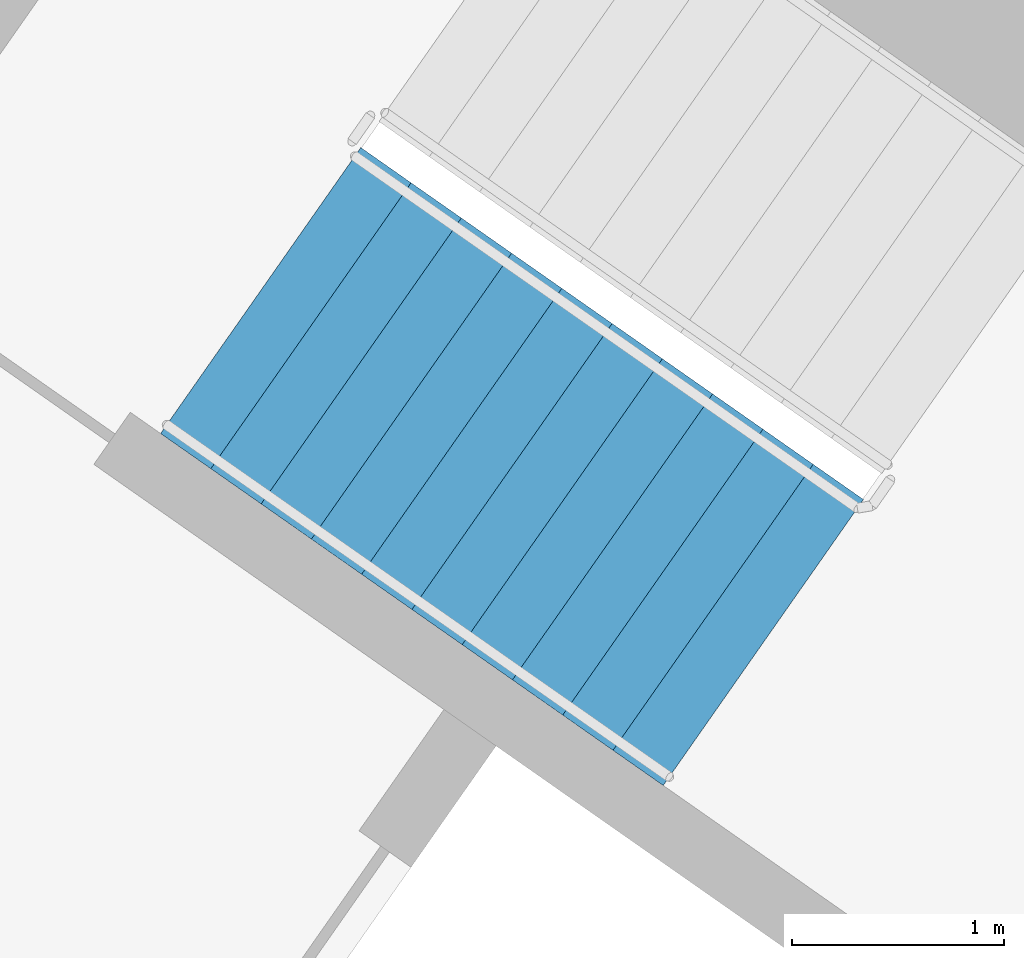
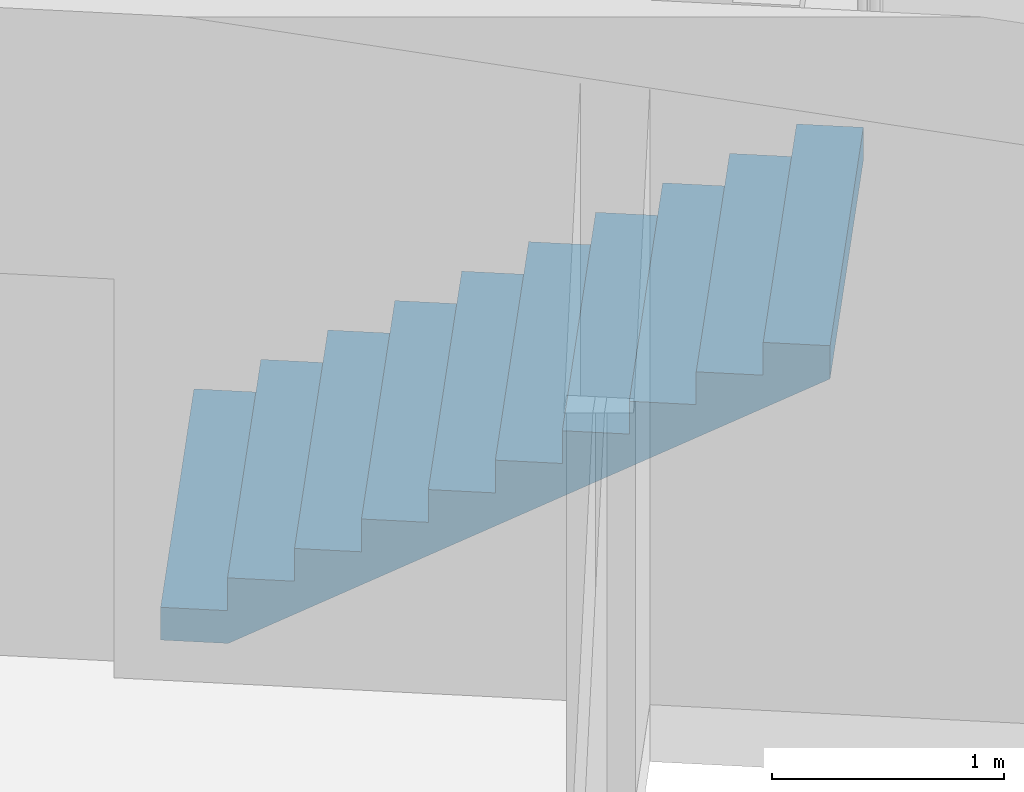
# One storey, part 12 of 35: 1 stair flight, 1 element without a shape of its own.
"""IFC4 building model written with IfcOpenShell, lengths in metres."""

from ifc_helpers import new_model, si_unit, direction, frame, origin, place, context, subcontext, project, spatial, faceted_brep, material, type_object, element, aggregate, save


model = new_model("IFC4")

# Units and contexts
model_context = context("Model", 3, precision=1e-05, world=origin(), true_north=direction((0.0, 1.0)))
body_context = subcontext(model_context, "Body", "Model", "MODEL_VIEW")
ifc_project = project(units=[si_unit("LENGTHUNIT", "METRE"), si_unit("AREAUNIT", "SQUARE_METRE"), si_unit("VOLUMEUNIT", "CUBIC_METRE"), si_unit("PLANEANGLEUNIT", "RADIAN"), si_unit("MASSUNIT", "GRAM", prefix="KILO")], contexts=[model_context])

# Site, building, storey
site_placement = place(None, origin())
site = spatial("IfcSite", under=ifc_project, at=site_placement, CompositionType="ELEMENT")
building_placement = place(site_placement, origin())
building = spatial("IfcBuilding", under=site, at=building_placement, Name="Qamariyya Broadcast Tower", CompositionType="ELEMENT")
storey_placement = place(building_placement, frame((0.0, 0.0, 40.5)))
storey = spatial("IfcBuildingStorey", under=building, at=storey_placement, Name="L06", CompositionType="ELEMENT", Elevation=40.5)

# Stair, stair flight
ifc_material = material(Name="Concrete C50/60", Category="concrete")
stair_type = type_object("IfcStairType", Name="Exit stair 22 risers of 173 mm", PredefinedType="HALF_TURN_STAIR", material=ifc_material)
stair_placement = place(storey_placement, origin())
stair = element("IfcStair", 1, at=stair_placement, inside=storey, type_object=stair_type, Name="L06 Stair W2", PredefinedType="HALF_TURN_STAIR")
stair_flight_type = type_object("IfcStairFlightType", Name="Exit stair flight 11 risers of 173 mm", PredefinedType="STRAIGHT", material=ifc_material)
stair_flight_placement = place(storey_placement, frame((-41.59130859375, -49.15966796875, 0.0), z_axis=(0.0, 0.0, 1.0), x_axis=(0.819152044289, -0.573576436351, 0.0)))
stair_flight = element("IfcStairFlight", 2, at=stair_flight_placement, type_object=stair_flight_type, Name="ST-W2 flight 1", NumberOfRisers=11, NumberOfTreads=10, PredefinedType="STRAIGHT", RiserHeight=0.172727273, TreadLength=0.29, context=body_context, shape_type="Brep", body=[
    faceted_brep([(0.0, 0.824951171875, 0.0), (0.0, 0.824951171875, 0.172607421875), (0.2900390625, 0.824951171875, 0.172607421875), (0.2900390625, 0.824951171875, 0.345458984375), (0.580078125, 0.824951171875, 0.345458984375), (0.580078125, 0.824951171875, 0.51806640625), (0.8701171875, 0.824951171875, 0.51806640625), (0.8701171875, 0.824951171875, 0.69091796875), (1.159912109375, 0.824951171875, 0.69091796875), (1.159912109375, 0.824951171875, 0.863525390625), (1.449951171875, 0.824951171875, 0.863525390625), (1.449951171875, 0.824951171875, 1.036376953125), (1.739990234375, 0.824951171875, 1.036376953125), (1.739990234375, 0.824951171875, 1.208984375), (2.030029296875, 0.824951171875, 1.208984375), (2.030029296875, 0.824951171875, 1.3818359375), (2.320068359375, 0.824951171875, 1.3818359375), (2.320068359375, 0.824951171875, 1.554443359375), (2.610107421875, 0.824951171875, 1.554443359375), (2.610107421875, 0.824951171875, 1.727294921875), (2.89990234375, 0.824951171875, 1.727294921875), (2.89990234375, 0.824951171875, 1.552734375), (0.29296875, 0.824951171875, 0.0), (0.29296875, -0.824951171875, 0.0), (2.89990234375, -0.824951171875, 1.552734375), (2.89990234375, -0.824951171875, 1.727294921875), (2.610107421875, -0.824951171875, 1.727294921875), (2.610107421875, -0.824951171875, 1.554443359375), (2.320068359375, -0.824951171875, 1.554443359375), (2.320068359375, -0.824951171875, 1.3818359375), (2.030029296875, -0.824951171875, 1.3818359375), (2.030029296875, -0.824951171875, 1.208984375), (1.739990234375, -0.824951171875, 1.208984375), (1.739990234375, -0.824951171875, 1.036376953125), (1.449951171875, -0.824951171875, 1.036376953125), (1.449951171875, -0.824951171875, 0.863525390625), (1.159912109375, -0.824951171875, 0.863525390625), (1.159912109375, -0.824951171875, 0.69091796875), (0.8701171875, -0.824951171875, 0.69091796875), (0.8701171875, -0.824951171875, 0.51806640625), (0.580078125, -0.824951171875, 0.51806640625), (0.580078125, -0.824951171875, 0.345458984375), (0.2900390625, -0.824951171875, 0.345458984375), (0.2900390625, -0.824951171875, 0.172607421875), (0.0, -0.824951171875, 0.172607421875), (0.0, -0.824951171875, 0.0), (0.0, 0.10009765625, 0.0), (0.0, 0.086669921875, 0.0), (0.0, 0.0732421875, 0.0), (0.0, 0.06005859375, 0.0), (0.0, 0.046630859375, 0.0), (0.0, 0.033447265625, 0.0), (0.0, 0.02001953125, 0.0), (0.0, 0.006591796875, 0.0), (0.0, -0.006591796875, 0.0), (0.0, -0.02001953125, 0.0), (0.0, -0.033447265625, 0.0), (0.0, -0.046630859375, 0.0), (0.0, -0.06005859375, 0.0), (0.0, -0.0732421875, 0.0), (0.0, -0.086669921875, 0.0), (0.0, -0.10009765625, 0.0), (0.0, -0.10009765625, 0.172607421875), (0.0, -0.086669921875, 0.172607421875), (0.0, -0.0732421875, 0.172607421875), (0.0, -0.06005859375, 0.172607421875), (0.0, -0.046630859375, 0.172607421875), (0.0, -0.033447265625, 0.172607421875), (0.0, -0.02001953125, 0.172607421875), (0.0, -0.006591796875, 0.172607421875), (0.0, 0.006591796875, 0.172607421875), (0.0, 0.02001953125, 0.172607421875), (0.0, 0.033447265625, 0.172607421875), (0.0, 0.046630859375, 0.172607421875), (0.0, 0.06005859375, 0.172607421875), (0.0, 0.0732421875, 0.172607421875), (0.0, 0.086669921875, 0.172607421875), (0.0, 0.10009765625, 0.172607421875), (0.2900390625, -0.10009765625, 0.172607421875), (0.2900390625, -0.086669921875, 0.172607421875), (0.2900390625, -0.0732421875, 0.172607421875), (0.2900390625, -0.06005859375, 0.172607421875), (0.2900390625, -0.046630859375, 0.172607421875), (0.2900390625, -0.033447265625, 0.172607421875), (0.2900390625, -0.02001953125, 0.172607421875), (0.2900390625, -0.006591796875, 0.172607421875), (0.2900390625, 0.006591796875, 0.172607421875), (0.2900390625, 0.02001953125, 0.172607421875), (0.2900390625, 0.033447265625, 0.172607421875), (0.2900390625, 0.046630859375, 0.172607421875), (0.2900390625, 0.06005859375, 0.172607421875), (0.2900390625, 0.0732421875, 0.172607421875), (0.2900390625, 0.086669921875, 0.172607421875), (0.2900390625, 0.10009765625, 0.172607421875), (0.2900390625, -0.10009765625, 0.345458984375), (0.2900390625, -0.086669921875, 0.345458984375), (0.2900390625, -0.0732421875, 0.345458984375), (0.2900390625, -0.06005859375, 0.345458984375), (0.2900390625, -0.046630859375, 0.345458984375), (0.2900390625, -0.033447265625, 0.345458984375), (0.2900390625, -0.02001953125, 0.345458984375), (0.2900390625, -0.006591796875, 0.345458984375), (0.2900390625, 0.006591796875, 0.345458984375), (0.2900390625, 0.02001953125, 0.345458984375), (0.2900390625, 0.033447265625, 0.345458984375), (0.2900390625, 0.046630859375, 0.345458984375), (0.2900390625, 0.06005859375, 0.345458984375), (0.2900390625, 0.0732421875, 0.345458984375), (0.2900390625, 0.086669921875, 0.345458984375), (0.2900390625, 0.10009765625, 0.345458984375), (0.580078125, -0.10009765625, 0.345458984375), (0.580078125, -0.086669921875, 0.345458984375), (0.580078125, -0.0732421875, 0.345458984375), (0.580078125, -0.06005859375, 0.345458984375), (0.580078125, -0.046630859375, 0.345458984375), (0.580078125, -0.033447265625, 0.345458984375), (0.580078125, -0.02001953125, 0.345458984375), (0.580078125, -0.006591796875, 0.345458984375), (0.580078125, 0.006591796875, 0.345458984375), (0.580078125, 0.02001953125, 0.345458984375), (0.580078125, 0.033447265625, 0.345458984375), (0.580078125, 0.046630859375, 0.345458984375), (0.580078125, 0.06005859375, 0.345458984375), (0.580078125, 0.0732421875, 0.345458984375), (0.580078125, 0.086669921875, 0.345458984375), (0.580078125, 0.10009765625, 0.345458984375), (0.580078125, -0.10009765625, 0.51806640625), (0.580078125, -0.086669921875, 0.51806640625), (0.580078125, -0.0732421875, 0.51806640625), (0.580078125, -0.06005859375, 0.51806640625), (0.580078125, -0.046630859375, 0.51806640625), (0.580078125, -0.033447265625, 0.51806640625), (0.580078125, -0.02001953125, 0.51806640625), (0.580078125, -0.006591796875, 0.51806640625), (0.580078125, 0.006591796875, 0.51806640625), (0.580078125, 0.02001953125, 0.51806640625), (0.580078125, 0.033447265625, 0.51806640625), (0.580078125, 0.046630859375, 0.51806640625), (0.580078125, 0.06005859375, 0.51806640625), (0.580078125, 0.0732421875, 0.51806640625), (0.580078125, 0.086669921875, 0.51806640625), (0.580078125, 0.10009765625, 0.51806640625), (0.8701171875, -0.10009765625, 0.51806640625), (0.8701171875, -0.086669921875, 0.51806640625), (0.8701171875, -0.0732421875, 0.51806640625), (0.8701171875, -0.06005859375, 0.51806640625), (0.8701171875, -0.046630859375, 0.51806640625), (0.8701171875, -0.033447265625, 0.51806640625), (0.8701171875, -0.02001953125, 0.51806640625), (0.8701171875, -0.006591796875, 0.51806640625), (0.8701171875, 0.006591796875, 0.51806640625), (0.8701171875, 0.02001953125, 0.51806640625), (0.8701171875, 0.033447265625, 0.51806640625), (0.8701171875, 0.046630859375, 0.51806640625), (0.8701171875, 0.06005859375, 0.51806640625), (0.8701171875, 0.0732421875, 0.51806640625), (0.8701171875, 0.086669921875, 0.51806640625), (0.8701171875, 0.10009765625, 0.51806640625), (0.8701171875, -0.10009765625, 0.69091796875), (0.8701171875, -0.086669921875, 0.69091796875), (0.8701171875, -0.0732421875, 0.69091796875), (0.8701171875, -0.06005859375, 0.69091796875), (0.8701171875, -0.046630859375, 0.69091796875), (0.8701171875, -0.033447265625, 0.69091796875), (0.8701171875, -0.02001953125, 0.69091796875), (0.8701171875, -0.006591796875, 0.69091796875), (0.8701171875, 0.006591796875, 0.69091796875), (0.8701171875, 0.02001953125, 0.69091796875), (0.8701171875, 0.033447265625, 0.69091796875), (0.8701171875, 0.046630859375, 0.69091796875), (0.8701171875, 0.06005859375, 0.69091796875), (0.8701171875, 0.0732421875, 0.69091796875), (0.8701171875, 0.086669921875, 0.69091796875), (0.8701171875, 0.10009765625, 0.69091796875), (1.159912109375, -0.10009765625, 0.69091796875), (1.159912109375, -0.086669921875, 0.69091796875), (1.159912109375, -0.0732421875, 0.69091796875), (1.159912109375, -0.06005859375, 0.69091796875), (1.159912109375, -0.046630859375, 0.69091796875), (1.159912109375, -0.033447265625, 0.69091796875), (1.159912109375, -0.02001953125, 0.69091796875), (1.159912109375, -0.006591796875, 0.69091796875), (1.159912109375, 0.006591796875, 0.69091796875), (1.159912109375, 0.02001953125, 0.69091796875), (1.159912109375, 0.033447265625, 0.69091796875), (1.159912109375, 0.046630859375, 0.69091796875), (1.159912109375, 0.06005859375, 0.69091796875), (1.159912109375, 0.0732421875, 0.69091796875), (1.159912109375, 0.086669921875, 0.69091796875), (1.159912109375, 0.10009765625, 0.69091796875), (1.159912109375, -0.10009765625, 0.863525390625), (1.159912109375, -0.086669921875, 0.863525390625), (1.159912109375, -0.0732421875, 0.863525390625), (1.159912109375, -0.06005859375, 0.863525390625), (1.159912109375, -0.046630859375, 0.863525390625), (1.159912109375, -0.033447265625, 0.863525390625), (1.159912109375, -0.02001953125, 0.863525390625), (1.159912109375, -0.006591796875, 0.863525390625), (1.159912109375, 0.006591796875, 0.863525390625), (1.159912109375, 0.02001953125, 0.863525390625), (1.159912109375, 0.033447265625, 0.863525390625), (1.159912109375, 0.046630859375, 0.863525390625), (1.159912109375, 0.06005859375, 0.863525390625), (1.159912109375, 0.0732421875, 0.863525390625), (1.159912109375, 0.086669921875, 0.863525390625), (1.159912109375, 0.10009765625, 0.863525390625), (1.449951171875, -0.10009765625, 0.863525390625), (1.449951171875, -0.086669921875, 0.863525390625), (1.449951171875, -0.0732421875, 0.863525390625), (1.449951171875, -0.06005859375, 0.863525390625), (1.449951171875, -0.046630859375, 0.863525390625), (1.449951171875, -0.033447265625, 0.863525390625), (1.449951171875, -0.02001953125, 0.863525390625), (1.449951171875, -0.006591796875, 0.863525390625), (1.449951171875, 0.006591796875, 0.863525390625), (1.449951171875, 0.02001953125, 0.863525390625), (1.449951171875, 0.033447265625, 0.863525390625), (1.449951171875, 0.046630859375, 0.863525390625), (1.449951171875, 0.06005859375, 0.863525390625), (1.449951171875, 0.0732421875, 0.863525390625), (1.449951171875, 0.086669921875, 0.863525390625), (1.449951171875, 0.10009765625, 0.863525390625), (1.449951171875, -0.10009765625, 1.036376953125), (1.449951171875, -0.086669921875, 1.036376953125), (1.449951171875, -0.0732421875, 1.036376953125), (1.449951171875, -0.06005859375, 1.036376953125), (1.449951171875, -0.046630859375, 1.036376953125), (1.449951171875, -0.033447265625, 1.036376953125), (1.449951171875, -0.02001953125, 1.036376953125), (1.449951171875, -0.006591796875, 1.036376953125), (1.449951171875, 0.006591796875, 1.036376953125), (1.449951171875, 0.02001953125, 1.036376953125), (1.449951171875, 0.033447265625, 1.036376953125), (1.449951171875, 0.046630859375, 1.036376953125), (1.449951171875, 0.06005859375, 1.036376953125), (1.449951171875, 0.0732421875, 1.036376953125), (1.449951171875, 0.086669921875, 1.036376953125), (1.449951171875, 0.10009765625, 1.036376953125), (1.739990234375, -0.10009765625, 1.036376953125), (1.739990234375, -0.086669921875, 1.036376953125), (1.739990234375, -0.0732421875, 1.036376953125), (1.739990234375, -0.06005859375, 1.036376953125), (1.739990234375, -0.046630859375, 1.036376953125), (1.739990234375, -0.033447265625, 1.036376953125), (1.739990234375, -0.02001953125, 1.036376953125), (1.739990234375, -0.006591796875, 1.036376953125), (1.739990234375, 0.006591796875, 1.036376953125), (1.739990234375, 0.02001953125, 1.036376953125), (1.739990234375, 0.033447265625, 1.036376953125), (1.739990234375, 0.046630859375, 1.036376953125), (1.739990234375, 0.06005859375, 1.036376953125), (1.739990234375, 0.0732421875, 1.036376953125), (1.739990234375, 0.086669921875, 1.036376953125), (1.739990234375, 0.10009765625, 1.036376953125), (1.739990234375, -0.10009765625, 1.208984375), (1.739990234375, -0.086669921875, 1.208984375), (1.739990234375, -0.0732421875, 1.208984375), (1.739990234375, -0.06005859375, 1.208984375), (1.739990234375, -0.046630859375, 1.208984375), (1.739990234375, -0.033447265625, 1.208984375), (1.739990234375, -0.02001953125, 1.208984375), (1.739990234375, -0.006591796875, 1.208984375), (1.739990234375, 0.006591796875, 1.208984375), (1.739990234375, 0.02001953125, 1.208984375), (1.739990234375, 0.033447265625, 1.208984375), (1.739990234375, 0.046630859375, 1.208984375), (1.739990234375, 0.06005859375, 1.208984375), (1.739990234375, 0.0732421875, 1.208984375), (1.739990234375, 0.086669921875, 1.208984375), (1.739990234375, 0.10009765625, 1.208984375), (2.030029296875, -0.10009765625, 1.208984375), (2.030029296875, -0.086669921875, 1.208984375), (2.030029296875, -0.0732421875, 1.208984375), (2.030029296875, -0.06005859375, 1.208984375), (2.030029296875, -0.046630859375, 1.208984375), (2.030029296875, -0.033447265625, 1.208984375), (2.030029296875, -0.02001953125, 1.208984375), (2.030029296875, -0.006591796875, 1.208984375), (2.030029296875, 0.006591796875, 1.208984375), (2.030029296875, 0.02001953125, 1.208984375), (2.030029296875, 0.033447265625, 1.208984375), (2.030029296875, 0.046630859375, 1.208984375), (2.030029296875, 0.06005859375, 1.208984375), (2.030029296875, 0.0732421875, 1.208984375), (2.030029296875, 0.086669921875, 1.208984375), (2.030029296875, 0.10009765625, 1.208984375), (2.030029296875, -0.10009765625, 1.3818359375), (2.030029296875, -0.086669921875, 1.3818359375), (2.030029296875, -0.0732421875, 1.3818359375), (2.030029296875, -0.06005859375, 1.3818359375), (2.030029296875, -0.046630859375, 1.3818359375), (2.030029296875, -0.033447265625, 1.3818359375), (2.030029296875, -0.02001953125, 1.3818359375), (2.030029296875, -0.006591796875, 1.3818359375), (2.030029296875, 0.006591796875, 1.3818359375), (2.030029296875, 0.02001953125, 1.3818359375), (2.030029296875, 0.033447265625, 1.3818359375), (2.030029296875, 0.046630859375, 1.3818359375), (2.030029296875, 0.06005859375, 1.3818359375), (2.030029296875, 0.0732421875, 1.3818359375), (2.030029296875, 0.086669921875, 1.3818359375), (2.030029296875, 0.10009765625, 1.3818359375), (2.320068359375, -0.10009765625, 1.3818359375), (2.320068359375, -0.086669921875, 1.3818359375), (2.320068359375, -0.0732421875, 1.3818359375), (2.320068359375, -0.06005859375, 1.3818359375), (2.320068359375, -0.046630859375, 1.3818359375), (2.320068359375, -0.033447265625, 1.3818359375), (2.320068359375, -0.02001953125, 1.3818359375), (2.320068359375, -0.006591796875, 1.3818359375), (2.320068359375, 0.006591796875, 1.3818359375), (2.320068359375, 0.02001953125, 1.3818359375), (2.320068359375, 0.033447265625, 1.3818359375), (2.320068359375, 0.046630859375, 1.3818359375), (2.320068359375, 0.06005859375, 1.3818359375), (2.320068359375, 0.0732421875, 1.3818359375), (2.320068359375, 0.086669921875, 1.3818359375), (2.320068359375, 0.10009765625, 1.3818359375), (2.320068359375, -0.10009765625, 1.554443359375), (2.320068359375, -0.086669921875, 1.554443359375), (2.320068359375, -0.0732421875, 1.554443359375), (2.320068359375, -0.06005859375, 1.554443359375), (2.320068359375, -0.046630859375, 1.554443359375), (2.320068359375, -0.033447265625, 1.554443359375), (2.320068359375, -0.02001953125, 1.554443359375), (2.320068359375, -0.006591796875, 1.554443359375), (2.320068359375, 0.006591796875, 1.554443359375), (2.320068359375, 0.02001953125, 1.554443359375), (2.320068359375, 0.033447265625, 1.554443359375), (2.320068359375, 0.046630859375, 1.554443359375), (2.320068359375, 0.06005859375, 1.554443359375), (2.320068359375, 0.0732421875, 1.554443359375), (2.320068359375, 0.086669921875, 1.554443359375), (2.320068359375, 0.10009765625, 1.554443359375), (2.610107421875, -0.10009765625, 1.554443359375), (2.610107421875, -0.086669921875, 1.554443359375), (2.610107421875, -0.0732421875, 1.554443359375), (2.610107421875, -0.06005859375, 1.554443359375), (2.610107421875, -0.046630859375, 1.554443359375), (2.610107421875, -0.033447265625, 1.554443359375), (2.610107421875, -0.02001953125, 1.554443359375), (2.610107421875, -0.006591796875, 1.554443359375), (2.610107421875, 0.006591796875, 1.554443359375), (2.610107421875, 0.02001953125, 1.554443359375), (2.610107421875, 0.033447265625, 1.554443359375), (2.610107421875, 0.046630859375, 1.554443359375), (2.610107421875, 0.06005859375, 1.554443359375), (2.610107421875, 0.0732421875, 1.554443359375), (2.610107421875, 0.086669921875, 1.554443359375), (2.610107421875, 0.10009765625, 1.554443359375), (2.610107421875, -0.10009765625, 1.727294921875), (2.610107421875, -0.086669921875, 1.727294921875), (2.610107421875, -0.0732421875, 1.727294921875), (2.610107421875, -0.06005859375, 1.727294921875), (2.610107421875, -0.046630859375, 1.727294921875), (2.610107421875, -0.033447265625, 1.727294921875), (2.610107421875, -0.02001953125, 1.727294921875), (2.610107421875, -0.006591796875, 1.727294921875), (2.610107421875, 0.006591796875, 1.727294921875), (2.610107421875, 0.02001953125, 1.727294921875), (2.610107421875, 0.033447265625, 1.727294921875), (2.610107421875, 0.046630859375, 1.727294921875), (2.610107421875, 0.06005859375, 1.727294921875), (2.610107421875, 0.0732421875, 1.727294921875), (2.610107421875, 0.086669921875, 1.727294921875), (2.610107421875, 0.10009765625, 1.727294921875), (2.89990234375, -0.10009765625, 1.727294921875), (2.89990234375, -0.086669921875, 1.727294921875), (2.89990234375, -0.0732421875, 1.727294921875), (2.89990234375, -0.06005859375, 1.727294921875), (2.89990234375, -0.046630859375, 1.727294921875), (2.89990234375, -0.033447265625, 1.727294921875), (2.89990234375, -0.02001953125, 1.727294921875), (2.89990234375, -0.006591796875, 1.727294921875), (2.89990234375, 0.006591796875, 1.727294921875), (2.89990234375, 0.02001953125, 1.727294921875), (2.89990234375, 0.033447265625, 1.727294921875), (2.89990234375, 0.046630859375, 1.727294921875), (2.89990234375, 0.06005859375, 1.727294921875), (2.89990234375, 0.0732421875, 1.727294921875), (2.89990234375, 0.086669921875, 1.727294921875), (2.89990234375, 0.10009765625, 1.727294921875), (2.89990234375, -0.10009765625, 1.552734375), (2.89990234375, -0.086669921875, 1.552734375), (2.89990234375, -0.0732421875, 1.552734375), (2.89990234375, -0.06005859375, 1.552734375), (2.89990234375, -0.046630859375, 1.552734375), (2.89990234375, -0.033447265625, 1.552734375), (2.89990234375, -0.02001953125, 1.552734375), (2.89990234375, -0.006591796875, 1.552734375), (2.89990234375, 0.006591796875, 1.552734375), (2.89990234375, 0.02001953125, 1.552734375), (2.89990234375, 0.033447265625, 1.552734375), (2.89990234375, 0.046630859375, 1.552734375), (2.89990234375, 0.06005859375, 1.552734375), (2.89990234375, 0.0732421875, 1.552734375), (2.89990234375, 0.086669921875, 1.552734375), (2.89990234375, 0.10009765625, 1.552734375), (0.29296875, -0.10009765625, 0.0), (0.29296875, -0.086669921875, 0.0), (0.29296875, -0.0732421875, 0.0), (0.29296875, -0.06005859375, 0.0), (0.29296875, -0.046630859375, 0.0), (0.29296875, -0.033447265625, 0.0), (0.29296875, -0.02001953125, 0.0), (0.29296875, -0.006591796875, 0.0), (0.29296875, 0.006591796875, 0.0), (0.29296875, 0.02001953125, 0.0), (0.29296875, 0.033447265625, 0.0), (0.29296875, 0.046630859375, 0.0), (0.29296875, 0.06005859375, 0.0), (0.29296875, 0.0732421875, 0.0), (0.29296875, 0.086669921875, 0.0), (0.29296875, 0.10009765625, 0.0)], [[[0, 1, 2, 3, 4, 5, 6, 7, 8, 9, 10, 11, 12, 13, 14, 15, 16, 17, 18, 19, 20, 21, 22]], [[23, 24, 25, 26, 27, 28, 29, 30, 31, 32, 33, 34, 35, 36, 37, 38, 39, 40, 41, 42, 43, 44, 45]], [[0, 46, 47, 48, 49, 50, 51, 52, 53, 54, 55, 56, 57, 58, 59, 60, 61, 45, 44, 62, 63, 64, 65, 66, 67, 68, 69, 70, 71, 72, 73, 74, 75, 76, 77, 1]], [[1, 77, 76, 75, 74, 73, 72, 71, 70, 69, 68, 67, 66, 65, 64, 63, 62, 44, 43, 78, 79, 80, 81, 82, 83, 84, 85, 86, 87, 88, 89, 90, 91, 92, 93, 2]], [[2, 93, 92, 91, 90, 89, 88, 87, 86, 85, 84, 83, 82, 81, 80, 79, 78, 43, 42, 94, 95, 96, 97, 98, 99, 100, 101, 102, 103, 104, 105, 106, 107, 108, 109, 3]], [[3, 109, 108, 107, 106, 105, 104, 103, 102, 101, 100, 99, 98, 97, 96, 95, 94, 42, 41, 110, 111, 112, 113, 114, 115, 116, 117, 118, 119, 120, 121, 122, 123, 124, 125, 4]], [[4, 125, 124, 123, 122, 121, 120, 119, 118, 117, 116, 115, 114, 113, 112, 111, 110, 41, 40, 126, 127, 128, 129, 130, 131, 132, 133, 134, 135, 136, 137, 138, 139, 140, 141, 5]], [[5, 141, 140, 139, 138, 137, 136, 135, 134, 133, 132, 131, 130, 129, 128, 127, 126, 40, 39, 142, 143, 144, 145, 146, 147, 148, 149, 150, 151, 152, 153, 154, 155, 156, 157, 6]], [[6, 157, 156, 155, 154, 153, 152, 151, 150, 149, 148, 147, 146, 145, 144, 143, 142, 39, 38, 158, 159, 160, 161, 162, 163, 164, 165, 166, 167, 168, 169, 170, 171, 172, 173, 7]], [[7, 173, 172, 171, 170, 169, 168, 167, 166, 165, 164, 163, 162, 161, 160, 159, 158, 38, 37, 174, 175, 176, 177, 178, 179, 180, 181, 182, 183, 184, 185, 186, 187, 188, 189, 8]], [[8, 189, 188, 187, 186, 185, 184, 183, 182, 181, 180, 179, 178, 177, 176, 175, 174, 37, 36, 190, 191, 192, 193, 194, 195, 196, 197, 198, 199, 200, 201, 202, 203, 204, 205, 9]], [[9, 205, 204, 203, 202, 201, 200, 199, 198, 197, 196, 195, 194, 193, 192, 191, 190, 36, 35, 206, 207, 208, 209, 210, 211, 212, 213, 214, 215, 216, 217, 218, 219, 220, 221, 10]], [[10, 221, 220, 219, 218, 217, 216, 215, 214, 213, 212, 211, 210, 209, 208, 207, 206, 35, 34, 222, 223, 224, 225, 226, 227, 228, 229, 230, 231, 232, 233, 234, 235, 236, 237, 11]], [[11, 237, 236, 235, 234, 233, 232, 231, 230, 229, 228, 227, 226, 225, 224, 223, 222, 34, 33, 238, 239, 240, 241, 242, 243, 244, 245, 246, 247, 248, 249, 250, 251, 252, 253, 12]], [[12, 253, 252, 251, 250, 249, 248, 247, 246, 245, 244, 243, 242, 241, 240, 239, 238, 33, 32, 254, 255, 256, 257, 258, 259, 260, 261, 262, 263, 264, 265, 266, 267, 268, 269, 13]], [[13, 269, 268, 267, 266, 265, 264, 263, 262, 261, 260, 259, 258, 257, 256, 255, 254, 32, 31, 270, 271, 272, 273, 274, 275, 276, 277, 278, 279, 280, 281, 282, 283, 284, 285, 14]], [[14, 285, 284, 283, 282, 281, 280, 279, 278, 277, 276, 275, 274, 273, 272, 271, 270, 31, 30, 286, 287, 288, 289, 290, 291, 292, 293, 294, 295, 296, 297, 298, 299, 300, 301, 15]], [[15, 301, 300, 299, 298, 297, 296, 295, 294, 293, 292, 291, 290, 289, 288, 287, 286, 30, 29, 302, 303, 304, 305, 306, 307, 308, 309, 310, 311, 312, 313, 314, 315, 316, 317, 16]], [[16, 317, 316, 315, 314, 313, 312, 311, 310, 309, 308, 307, 306, 305, 304, 303, 302, 29, 28, 318, 319, 320, 321, 322, 323, 324, 325, 326, 327, 328, 329, 330, 331, 332, 333, 17]], [[17, 333, 332, 331, 330, 329, 328, 327, 326, 325, 324, 323, 322, 321, 320, 319, 318, 28, 27, 334, 335, 336, 337, 338, 339, 340, 341, 342, 343, 344, 345, 346, 347, 348, 349, 18]], [[18, 349, 348, 347, 346, 345, 344, 343, 342, 341, 340, 339, 338, 337, 336, 335, 334, 27, 26, 350, 351, 352, 353, 354, 355, 356, 357, 358, 359, 360, 361, 362, 363, 364, 365, 19]], [[19, 365, 364, 363, 362, 361, 360, 359, 358, 357, 356, 355, 354, 353, 352, 351, 350, 26, 25, 366, 367, 368, 369, 370, 371, 372, 373, 374, 375, 376, 377, 378, 379, 380, 381, 20]], [[20, 381, 380, 379, 378, 377, 376, 375, 374, 373, 372, 371, 370, 369, 368, 367, 366, 25, 24, 382, 383, 384, 385, 386, 387, 388, 389, 390, 391, 392, 393, 394, 395, 396, 397, 21]], [[21, 397, 396, 395, 394, 393, 392, 391, 390, 389, 388, 387, 386, 385, 384, 383, 382, 24, 23, 398, 399, 400, 401, 402, 403, 404, 405, 406, 407, 408, 409, 410, 411, 412, 413, 22]], [[22, 413, 412, 411, 410, 409, 408, 407, 406, 405, 404, 403, 402, 401, 400, 399, 398, 23, 45, 61, 60, 59, 58, 57, 56, 55, 54, 53, 52, 51, 50, 49, 48, 47, 46, 0]]]),
])
aggregate(stair, [stair_flight])

save(model, "model.ifc")
